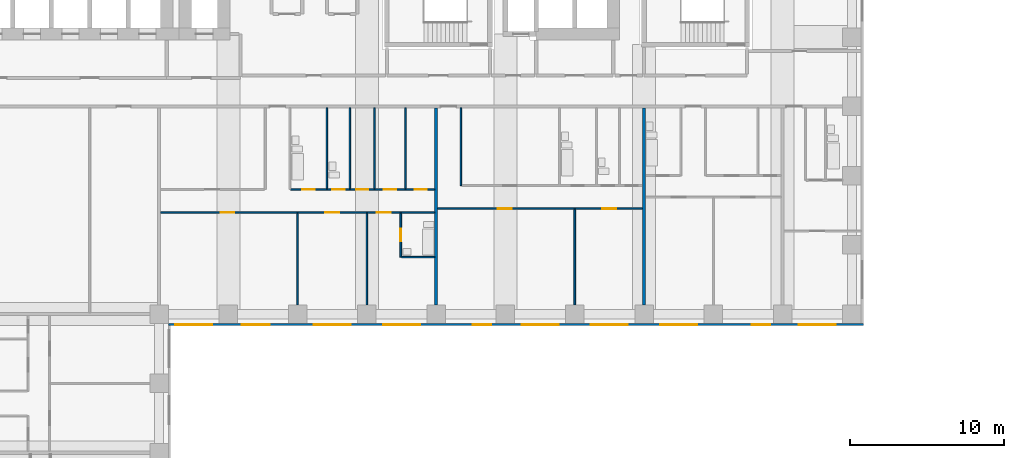
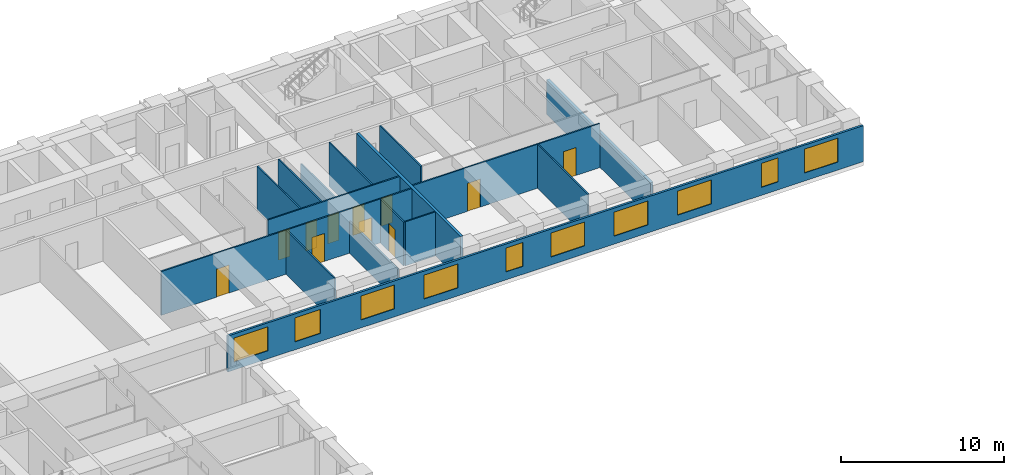
# One storey, part 6 of 12: 16 walls, 11 doors, 10 windows, 21 openings.
"""IFC4 building model written with IfcOpenShell, lengths in metres."""

from ifc_helpers import new_model, si_unit, direction, frame, frame_2d, origin, place, context, subcontext, project, spatial, rectangle, extrude, material, layer, layer_set, type_object, element, fill, save


model = new_model("IFC4")

# Units and contexts
model_context = context("Model", 3, precision=1e-05, world=origin(), true_north=direction((0.0, 1.0)))
body_context = subcontext(model_context, "Body", "Model", "MODEL_VIEW")
ifc_project = project(units=[si_unit("LENGTHUNIT", "METRE"), si_unit("AREAUNIT", "SQUARE_METRE"), si_unit("VOLUMEUNIT", "CUBIC_METRE"), si_unit("PLANEANGLEUNIT", "RADIAN"), si_unit("MASSUNIT", "GRAM", prefix="KILO")], contexts=[model_context])

# Site, building, storey
site_placement = place(None, origin())
site = spatial("IfcSite", under=ifc_project, at=site_placement, CompositionType="ELEMENT")
building_placement = place(site_placement, origin())
building = spatial("IfcBuilding", under=site, at=building_placement, Name="Firuza Court", CompositionType="ELEMENT")
storey_placement = place(building_placement, frame((0.0, 0.0, 36.199951171875)))
storey = spatial("IfcBuildingStorey", under=building, at=storey_placement, Name="L07", CompositionType="ELEMENT", Elevation=36.199951171875)

# Wall, opening, door
ifc_material_1 = material(Name="Moisture-resistant gypsum board partition")
ifc_layer_1 = layer(ifc_material_1, 0.10009765625)
ifc_layer_set_1 = layer_set([ifc_layer_1], Name="Moisture-resistant gypsum board partition")
wall_type_1 = type_object("IfcWallType", Name="Bathroom partition 100", PredefinedType="PLUMBINGWALL", material=ifc_layer_set_1)
wall_1_placement = place(storey_placement, frame((38.199951171875, 39.699951171875, 0.0), z_axis=(0.0, 0.0, 1.0), x_axis=(0.0, 1.0, 0.0)))
wall_1 = element("IfcWall", 1, at=wall_1_placement, inside=storey, type_object=wall_type_1, Name="Bathroom partition 100 L07", PredefinedType="PLUMBINGWALL", context=body_context, shape_type="SweptSolid", body=[
    extrude(rectangle(XDim=2.85009765625, YDim=0.10009765625, at=frame_2d((1.425048828125, 0.0))), origin(), (0.0, 0.0, 1.0), 3.300048828125),
])
opening_1_placement = place(wall_1_placement, frame((1.050048828125, 0.0, 0.0)))
opening_1 = element("IfcOpeningElement", 2, at=opening_1_placement, cuts=wall_1, Name="Opening D07042", PredefinedType="OPENING", context=body_context, shape_type="SweptSolid", body=[
    extrude(rectangle(XDim=0.800048828125, YDim=2.10009765625, at=frame_2d((0.39990234375, 1.050048828125))), frame((0.0, 0.06201171875, 0.0), z_axis=(0.0, -1.0, 0.0), x_axis=(1.0, 0.0, 0.0)), (0.0, 0.0, 1.0), 0.1240234375),
])
ifc_material_2 = material(Name="Timber door leaf in hardwood frame", Category="wood")
door_type_1 = type_object("IfcDoorType", Name="Bathroom door 800", OperationType="SINGLE_SWING_LEFT", PredefinedType="DOOR", material=ifc_material_2)
door_1_placement = place(opening_1_placement, frame((0.800048828125, 0.0, 0.0), z_axis=(0.0, 0.0, 1.0), x_axis=(-1.0, 0.0, 0.0)))
door_1 = element("IfcDoor", 3, at=door_1_placement, inside=storey, type_object=door_type_1, Name="En-suite door", OperationType="SINGLE_SWING_RIGHT", OverallHeight=2.10009765625, OverallWidth=0.800048828125, PredefinedType="DOOR", context=body_context, shape_type="SweptSolid", body=[
    extrude(rectangle(XDim=0.800048828125, YDim=2.10009765625, at=frame_2d((0.39990234375, 1.050048828125))), frame((0.0, 0.02490234375, 0.0), z_axis=(0.0, -1.0, 0.0), x_axis=(1.0, 0.0, 0.0)), (0.0, 0.0, 1.0), 0.050048828125),
])
fill(opening_1, door_1)

# Walls
wall_2_placement = place(storey_placement, frame((38.25, 39.699951171875, 0.0), z_axis=(0.0, 0.0, 1.0), x_axis=(1.0, 0.0, 0.0)))
element("IfcWall", 4, at=wall_2_placement, inside=storey, type_object=wall_type_1, Name="Bathroom partition 100 L07", PredefinedType="PLUMBINGWALL", context=body_context, shape_type="SweptSolid", body=[
    extrude(rectangle(XDim=2.14990234375, YDim=0.10009765625, at=frame_2d((1.074951171875, 0.0))), origin(), (0.0, 0.0, 1.0), 3.300048828125),
])
for number, where, z_axis, x_axis, name in (
    (5, (33.39990234375, 44.14990234375, 0.0), (0.0, 0.0, 1.0), (0.0, 1.0, 0.0), "Bathroom partition 100 L07"),
    (6, (34.89990234375, 44.14990234375, 0.0), (0.0, 0.0, 1.0), (0.0, 1.0, 0.0), "Bathroom partition 100 L07"),
):
    element("IfcWall", number, at=place(storey_placement, frame(where, z_axis=z_axis, x_axis=x_axis)), inside=storey, type_object=wall_type_1, Name=name, PredefinedType="PLUMBINGWALL", context=body_context, shape_type="SweptSolid", body=[
        extrude(rectangle(XDim=5.25, YDim=0.10009765625, at=frame_2d((2.625, 0.0))), origin(), (0.0, 0.0, 1.0), 3.300048828125),
    ])
ifc_material_3 = material(Name="Timber stud partition, plasterboard both sides", Category="wood")
ifc_layer_2 = layer(ifc_material_3, 0.10009765625)
ifc_layer_set_2 = layer_set([ifc_layer_2], Name="Timber stud partition, plasterboard both sides")
wall_type_2 = type_object("IfcWallType", Name="Partition wall 100", PredefinedType="PARTITIONING", material=ifc_layer_set_2)
wall_3_placement = place(storey_placement, frame((31.5, 36.60009765625, 0.0), z_axis=(0.0, 0.0, 1.0), x_axis=(0.0, 1.0, 0.0)))
element("IfcWall", 7, at=wall_3_placement, inside=storey, type_object=wall_type_2, Name="Partition wall 100 L07", PredefinedType="PARTITIONING", context=body_context, shape_type="SweptSolid", body=[
    extrude(rectangle(XDim=5.949951171875, YDim=0.10009765625, at=frame_2d((2.97509765625, 0.0))), origin(), (0.0, 0.0, 1.0), 3.300048828125),
])
wall_4_placement = place(storey_placement, frame((36.0, 36.60009765625, 0.0), z_axis=(0.0, 0.0, 1.0), x_axis=(0.0, 1.0, 0.0)))
element("IfcWall", 8, at=wall_4_placement, inside=storey, type_object=wall_type_2, Name="Partition wall 100 L07", PredefinedType="PARTITIONING", context=body_context, shape_type="SweptSolid", body=[
    extrude(rectangle(XDim=5.949951171875, YDim=0.10009765625, at=frame_2d((2.97509765625, 0.0))), origin(), (0.0, 0.0, 1.0), 2.400146484375),
])
wall_5_placement = place(storey_placement, frame((49.5, 36.60009765625, 0.0), z_axis=(0.0, 0.0, 1.0), x_axis=(0.0, 1.0, 0.0)))
element("IfcWall", 9, at=wall_5_placement, inside=storey, type_object=wall_type_2, Name="Partition wall 100 L07", PredefinedType="PARTITIONING", context=body_context, shape_type="SweptSolid", body=[
    extrude(rectangle(XDim=6.199951171875, YDim=0.10009765625, at=frame_2d((3.10009765625, 0.0))), origin(), (0.0, 0.0, 1.0), 3.300048828125),
])

# Wall, openings, doors
wall_6_placement = place(storey_placement, frame((22.60009765625, 42.60009765625, 0.0), z_axis=(0.0, 0.0, 1.0), x_axis=(1.0, 0.0, 0.0)))
wall_6 = element("IfcWall", 10, at=wall_6_placement, inside=storey, type_object=wall_type_2, Name="Partition wall 100 L07", PredefinedType="PARTITIONING", context=body_context, shape_type="SweptSolid", body=[
    extrude(rectangle(XDim=17.7998046875, YDim=0.10009765625, at=frame_2d((8.89990234375, 0.0))), origin(), (0.0, 0.0, 1.0), 3.300048828125),
])
opening_2_placement = place(wall_6_placement, frame((3.89990234375, 0.0, 0.0)))
opening_2 = element("IfcOpeningElement", 11, at=opening_2_placement, cuts=wall_6, Name="Opening D07044", PredefinedType="OPENING", context=body_context, shape_type="SweptSolid", body=[
    extrude(rectangle(XDim=0.89990234375, YDim=2.10009765625, at=frame_2d((0.449951171875, 1.050048828125))), frame((0.0, 0.06201171875, 0.0), z_axis=(0.0, -1.0, 0.0), x_axis=(1.0, 0.0, 0.0)), (0.0, 0.0, 1.0), 0.1240234375),
])
opening_3_placement = place(wall_6_placement, frame((10.699951171875, 0.0, 0.0)))
opening_3 = element("IfcOpeningElement", 12, at=opening_3_placement, cuts=wall_6, Name="Opening D07045", PredefinedType="OPENING", context=body_context, shape_type="SweptSolid", body=[
    extrude(rectangle(XDim=0.89990234375, YDim=2.10009765625, at=frame_2d((0.449951171875, 1.050048828125))), frame((0.0, 0.06201171875, 0.0), z_axis=(0.0, -1.0, 0.0), x_axis=(1.0, 0.0, 0.0)), (0.0, 0.0, 1.0), 0.1240234375),
])
opening_4_placement = place(wall_6_placement, frame((14.050048828125, 0.0, 0.0)))
opening_4 = element("IfcOpeningElement", 13, at=opening_4_placement, cuts=wall_6, Name="Opening D07046", PredefinedType="OPENING", context=body_context, shape_type="SweptSolid", body=[
    extrude(rectangle(XDim=0.89990234375, YDim=2.10009765625, at=frame_2d((0.449951171875, 1.050048828125))), frame((0.0, 0.06201171875, 0.0), z_axis=(0.0, -1.0, 0.0), x_axis=(1.0, 0.0, 0.0)), (0.0, 0.0, 1.0), 0.1240234375),
])
ifc_material_4 = material(Name="Timber door leaf in hardwood frame", Category="wood")
door_type_2 = type_object("IfcDoorType", Name="Room door 900", OperationType="SINGLE_SWING_LEFT", PredefinedType="DOOR", material=ifc_material_4)
door_2_placement = place(opening_2_placement, frame((0.89990234375, 0.0, 0.0), z_axis=(0.0, 0.0, 1.0), x_axis=(-1.0, 0.0, 0.0)))
door_2 = element("IfcDoor", 14, at=door_2_placement, inside=storey, type_object=door_type_2, Name="Living room door", OperationType="SINGLE_SWING_RIGHT", OverallHeight=2.10009765625, OverallWidth=0.89990234375, PredefinedType="DOOR", context=body_context, shape_type="SweptSolid", body=[
    extrude(rectangle(XDim=0.89990234375, YDim=2.10009765625, at=frame_2d((0.449951171875, 1.050048828125))), frame((0.0, 0.02490234375, 0.0), z_axis=(0.0, -1.0, 0.0), x_axis=(1.0, 0.0, 0.0)), (0.0, 0.0, 1.0), 0.050048828125),
])
fill(opening_2, door_2)
door_3_placement = place(opening_3_placement, frame((0.89990234375, 0.0, 0.0), z_axis=(0.0, 0.0, 1.0), x_axis=(-1.0, 0.0, 0.0)))
door_3 = element("IfcDoor", 15, at=door_3_placement, inside=storey, type_object=door_type_2, Name="Bedroom door", OperationType="SINGLE_SWING_RIGHT", OverallHeight=2.10009765625, OverallWidth=0.89990234375, PredefinedType="DOOR", context=body_context, shape_type="SweptSolid", body=[
    extrude(rectangle(XDim=0.89990234375, YDim=2.10009765625, at=frame_2d((0.449951171875, 1.050048828125))), frame((0.0, 0.02490234375, 0.0), z_axis=(0.0, -1.0, 0.0), x_axis=(1.0, 0.0, 0.0)), (0.0, 0.0, 1.0), 0.050048828125),
])
fill(opening_3, door_3)
door_4_placement = place(opening_4_placement, frame((0.89990234375, 0.0, 0.0), z_axis=(0.0, 0.0, 1.0), x_axis=(-1.0, 0.0, 0.0)))
door_4 = element("IfcDoor", 16, at=door_4_placement, inside=storey, type_object=door_type_2, Name="Bedroom door", OperationType="SINGLE_SWING_RIGHT", OverallHeight=2.10009765625, OverallWidth=0.89990234375, PredefinedType="DOOR", context=body_context, shape_type="SweptSolid", body=[
    extrude(rectangle(XDim=0.89990234375, YDim=2.10009765625, at=frame_2d((0.449951171875, 1.050048828125))), frame((0.0, 0.02490234375, 0.0), z_axis=(0.0, -1.0, 0.0), x_axis=(1.0, 0.0, 0.0)), (0.0, 0.0, 1.0), 0.050048828125),
])
fill(opening_4, door_4)

wall_7_placement = place(storey_placement, frame((40.60009765625, 42.85009765625, 0.0), z_axis=(0.0, 0.0, 1.0), x_axis=(1.0, 0.0, 0.0)))
wall_7 = element("IfcWall", 17, at=wall_7_placement, inside=storey, type_object=wall_type_2, Name="Partition wall 100 L07", PredefinedType="PARTITIONING", context=body_context, shape_type="SweptSolid", body=[
    extrude(rectangle(XDim=13.2998046875, YDim=0.10009765625, at=frame_2d((6.64990234375, 0.0))), origin(), (0.0, 0.0, 1.0), 3.300048828125),
])
opening_5_placement = place(wall_7_placement, frame((3.89990234375, 0.0, 0.0)))
opening_5 = element("IfcOpeningElement", 18, at=opening_5_placement, cuts=wall_7, Name="Opening D07047", PredefinedType="OPENING", context=body_context, shape_type="SweptSolid", body=[
    extrude(rectangle(XDim=0.89990234375, YDim=2.10009765625, at=frame_2d((0.449951171875, 1.050048828125))), frame((0.0, 0.06201171875, 0.0), z_axis=(0.0, -1.0, 0.0), x_axis=(1.0, 0.0, 0.0)), (0.0, 0.0, 1.0), 0.1240234375),
])
opening_6_placement = place(wall_7_placement, frame((10.699951171875, 0.0, 0.0)))
opening_6 = element("IfcOpeningElement", 19, at=opening_6_placement, cuts=wall_7, Name="Opening D07048", PredefinedType="OPENING", context=body_context, shape_type="SweptSolid", body=[
    extrude(rectangle(XDim=0.89990234375, YDim=2.10009765625, at=frame_2d((0.449951171875, 1.050048828125))), frame((0.0, 0.06201171875, 0.0), z_axis=(0.0, -1.0, 0.0), x_axis=(1.0, 0.0, 0.0)), (0.0, 0.0, 1.0), 0.1240234375),
])
door_5_placement = place(opening_5_placement, frame((0.89990234375, 0.0, 0.0), z_axis=(0.0, 0.0, 1.0), x_axis=(-1.0, 0.0, 0.0)))
door_5 = element("IfcDoor", 20, at=door_5_placement, inside=storey, type_object=door_type_2, Name="Living room door", OperationType="SINGLE_SWING_RIGHT", OverallHeight=2.10009765625, OverallWidth=0.89990234375, PredefinedType="DOOR", context=body_context, shape_type="SweptSolid", body=[
    extrude(rectangle(XDim=0.89990234375, YDim=2.10009765625, at=frame_2d((0.449951171875, 1.050048828125))), frame((0.0, 0.02490234375, 0.0), z_axis=(0.0, -1.0, 0.0), x_axis=(1.0, 0.0, 0.0)), (0.0, 0.0, 1.0), 0.050048828125),
])
fill(opening_5, door_5)
door_6_placement = place(opening_6_placement, frame((0.89990234375, 0.0, 0.0), z_axis=(0.0, 0.0, 1.0), x_axis=(-1.0, 0.0, 0.0)))
door_6 = element("IfcDoor", 21, at=door_6_placement, inside=storey, type_object=door_type_2, Name="Bedroom door", OperationType="SINGLE_SWING_RIGHT", OverallHeight=2.10009765625, OverallWidth=0.89990234375, PredefinedType="DOOR", context=body_context, shape_type="SweptSolid", body=[
    extrude(rectangle(XDim=0.89990234375, YDim=2.10009765625, at=frame_2d((0.449951171875, 1.050048828125))), frame((0.0, 0.02490234375, 0.0), z_axis=(0.0, -1.0, 0.0), x_axis=(1.0, 0.0, 0.0)), (0.0, 0.0, 1.0), 0.050048828125),
])
fill(opening_6, door_6)

wall_8_placement = place(storey_placement, frame((31.050048828125, 44.10009765625, 0.0), z_axis=(0.0, 0.0, 1.0), x_axis=(1.0, 0.0, 0.0)))
wall_8 = element("IfcWall", 22, at=wall_8_placement, inside=storey, type_object=wall_type_2, Name="Partition wall 100 L07", PredefinedType="PARTITIONING", context=body_context, shape_type="SweptSolid", body=[
    extrude(rectangle(XDim=9.349853515625, YDim=0.10009765625, at=frame_2d((4.6748046875, 0.0))), origin(), (0.0, 0.0, 1.0), 3.300048828125),
])
opening_7_placement = place(wall_8_placement, frame((0.75, 0.0, 0.0)))
opening_7 = element("IfcOpeningElement", 23, at=opening_7_placement, cuts=wall_8, Name="Opening D07052", PredefinedType="OPENING", context=body_context, shape_type="SweptSolid", body=[
    extrude(rectangle(XDim=0.800048828125, YDim=2.10009765625, at=frame_2d((0.39990234375, 1.050048828125))), frame((0.0, 0.06201171875, 0.0), z_axis=(0.0, -1.0, 0.0), x_axis=(1.0, 0.0, 0.0)), (0.0, 0.0, 1.0), 0.1240234375),
])
opening_8_placement = place(wall_8_placement, frame((8.050048828125, 0.0, 0.0)))
opening_8 = element("IfcOpeningElement", 24, at=opening_8_placement, cuts=wall_8, Name="Opening D07053", PredefinedType="OPENING", context=body_context, shape_type="SweptSolid", body=[
    extrude(rectangle(XDim=0.800048828125, YDim=2.10009765625, at=frame_2d((0.39990234375, 1.050048828125))), frame((0.0, 0.06201171875, 0.0), z_axis=(0.0, -1.0, 0.0), x_axis=(1.0, 0.0, 0.0)), (0.0, 0.0, 1.0), 0.1240234375),
])
opening_9_placement = place(wall_8_placement, frame((4.25, 0.0, 0.0)))
opening_9 = element("IfcOpeningElement", 25, at=opening_9_placement, cuts=wall_8, Name="Opening D07054", PredefinedType="OPENING", context=body_context, shape_type="SweptSolid", body=[
    extrude(rectangle(XDim=0.800048828125, YDim=2.10009765625, at=frame_2d((0.39990234375, 1.050048828125))), frame((0.0, 0.06201171875, 0.0), z_axis=(0.0, -1.0, 0.0), x_axis=(1.0, 0.0, 0.0)), (0.0, 0.0, 1.0), 0.1240234375),
])
opening_10_placement = place(wall_8_placement, frame((6.050048828125, 0.0, 0.0)))
opening_10 = element("IfcOpeningElement", 26, at=opening_10_placement, cuts=wall_8, Name="Opening D07055", PredefinedType="OPENING", context=body_context, shape_type="SweptSolid", body=[
    extrude(rectangle(XDim=0.800048828125, YDim=2.10009765625, at=frame_2d((0.39990234375, 1.050048828125))), frame((0.0, 0.06201171875, 0.0), z_axis=(0.0, -1.0, 0.0), x_axis=(1.0, 0.0, 0.0)), (0.0, 0.0, 1.0), 0.1240234375),
])
opening_11_placement = place(wall_8_placement, frame((2.699951171875, 0.0, 0.0)))
opening_11 = element("IfcOpeningElement", 27, at=opening_11_placement, cuts=wall_8, Name="Opening D07056", PredefinedType="OPENING", context=body_context, shape_type="SweptSolid", body=[
    extrude(rectangle(XDim=0.800048828125, YDim=2.10009765625, at=frame_2d((0.39990234375, 1.050048828125))), frame((0.0, 0.06201171875, 0.0), z_axis=(0.0, -1.0, 0.0), x_axis=(1.0, 0.0, 0.0)), (0.0, 0.0, 1.0), 0.1240234375),
])
door_7_placement = place(opening_7_placement, origin())
door_7 = element("IfcDoor", 28, at=door_7_placement, inside=storey, type_object=door_type_1, Name="Bathroom door", OperationType="SINGLE_SWING_LEFT", OverallHeight=2.10009765625, OverallWidth=0.800048828125, PredefinedType="DOOR", context=body_context, shape_type="SweptSolid", body=[
    extrude(rectangle(XDim=0.800048828125, YDim=2.10009765625, at=frame_2d((0.39990234375, 1.050048828125))), frame((0.0, 0.02490234375, 0.0), z_axis=(0.0, -1.0, 0.0), x_axis=(1.0, 0.0, 0.0)), (0.0, 0.0, 1.0), 0.050048828125),
])
fill(opening_7, door_7)
door_8_placement = place(opening_11_placement, origin())
door_8 = element("IfcDoor", 29, at=door_8_placement, inside=storey, type_object=door_type_1, Name="Powder room door", OperationType="SINGLE_SWING_LEFT", OverallHeight=2.10009765625, OverallWidth=0.800048828125, PredefinedType="DOOR", context=body_context, shape_type="SweptSolid", body=[
    extrude(rectangle(XDim=0.800048828125, YDim=2.10009765625, at=frame_2d((0.39990234375, 1.050048828125))), frame((0.0, 0.02490234375, 0.0), z_axis=(0.0, -1.0, 0.0), x_axis=(1.0, 0.0, 0.0)), (0.0, 0.0, 1.0), 0.050048828125),
])
fill(opening_11, door_8)
ifc_material_5 = material(Name="Timber door leaf in hardwood frame", Category="wood")
door_type_3 = type_object("IfcDoorType", Name="Room door 800", OperationType="SINGLE_SWING_LEFT", PredefinedType="DOOR", material=ifc_material_5)
door_9_placement = place(opening_8_placement, origin())
door_9 = element("IfcDoor", 30, at=door_9_placement, inside=storey, type_object=door_type_3, Name="Pantry door", OperationType="SINGLE_SWING_LEFT", OverallHeight=2.10009765625, OverallWidth=0.800048828125, PredefinedType="DOOR", context=body_context, shape_type="SweptSolid", body=[
    extrude(rectangle(XDim=0.800048828125, YDim=2.10009765625, at=frame_2d((0.39990234375, 1.050048828125))), frame((0.0, 0.02490234375, 0.0), z_axis=(0.0, -1.0, 0.0), x_axis=(1.0, 0.0, 0.0)), (0.0, 0.0, 1.0), 0.050048828125),
])
fill(opening_8, door_9)
door_10_placement = place(opening_9_placement, origin())
door_10 = element("IfcDoor", 31, at=door_10_placement, inside=storey, type_object=door_type_3, Name="Store door", OperationType="SINGLE_SWING_LEFT", OverallHeight=2.10009765625, OverallWidth=0.800048828125, PredefinedType="DOOR", context=body_context, shape_type="SweptSolid", body=[
    extrude(rectangle(XDim=0.800048828125, YDim=2.10009765625, at=frame_2d((0.39990234375, 1.050048828125))), frame((0.0, 0.02490234375, 0.0), z_axis=(0.0, -1.0, 0.0), x_axis=(1.0, 0.0, 0.0)), (0.0, 0.0, 1.0), 0.050048828125),
])
fill(opening_9, door_10)
door_11_placement = place(opening_10_placement, origin())
door_11 = element("IfcDoor", 32, at=door_11_placement, inside=storey, type_object=door_type_3, Name="Utility room door", OperationType="SINGLE_SWING_LEFT", OverallHeight=2.10009765625, OverallWidth=0.800048828125, PredefinedType="DOOR", context=body_context, shape_type="SweptSolid", body=[
    extrude(rectangle(XDim=0.800048828125, YDim=2.10009765625, at=frame_2d((0.39990234375, 1.050048828125))), frame((0.0, 0.02490234375, 0.0), z_axis=(0.0, -1.0, 0.0), x_axis=(1.0, 0.0, 0.0)), (0.0, 0.0, 1.0), 0.050048828125),
])
fill(opening_10, door_11)

# Walls
wall_9_placement = place(storey_placement, frame((36.5, 44.14990234375, 0.0), z_axis=(0.0, 0.0, 1.0), x_axis=(0.0, 1.0, 0.0)))
element("IfcWall", 33, at=wall_9_placement, inside=storey, type_object=wall_type_2, Name="Partition wall 100 L07", PredefinedType="PARTITIONING", context=body_context, shape_type="SweptSolid", body=[
    extrude(rectangle(XDim=5.25, YDim=0.10009765625, at=frame_2d((2.625, 0.0))), origin(), (0.0, 0.0, 1.0), 2.400146484375),
])
wall_10_placement = place(storey_placement, frame((38.5, 44.14990234375, 0.0), z_axis=(0.0, 0.0, 1.0), x_axis=(0.0, 1.0, 0.0)))
element("IfcWall", 34, at=wall_10_placement, inside=storey, type_object=wall_type_2, Name="Partition wall 100 L07", PredefinedType="PARTITIONING", context=body_context, shape_type="SweptSolid", body=[
    extrude(rectangle(XDim=5.25, YDim=0.10009765625, at=frame_2d((2.625, 0.0))), origin(), (0.0, 0.0, 1.0), 3.300048828125),
])
wall_11_placement = place(storey_placement, frame((42.10009765625, 44.35009765625, 0.0), z_axis=(0.0, 0.0, 1.0), x_axis=(0.0, 1.0, 0.0)))
element("IfcWall", 35, at=wall_11_placement, inside=storey, type_object=wall_type_2, Name="Partition wall 100 L07", PredefinedType="PARTITIONING", context=body_context, shape_type="SweptSolid", body=[
    extrude(rectangle(XDim=5.0498046875, YDim=0.10009765625, at=frame_2d((2.52490234375, 0.0))), origin(), (0.0, 0.0, 1.0), 3.300048828125),
])
ifc_material_6 = material(Name="Blockwork, plastered both sides", Category="masonry")
ifc_layer_3 = layer(ifc_material_6, 0.199951171875)
ifc_layer_set_3 = layer_set([ifc_layer_3], Name="Blockwork, plastered both sides")
wall_type_3 = type_object("IfcWallType", Name="Party wall 200", PredefinedType="PARTITIONING", material=ifc_layer_set_3)
wall_12_placement = place(storey_placement, frame((40.5, 36.60009765625, 0.0), z_axis=(0.0, 0.0, 1.0), x_axis=(0.0, 1.0, 0.0)))
element("IfcWall", 36, at=wall_12_placement, inside=storey, type_object=wall_type_3, Name="Party wall 200 L07", PredefinedType="PARTITIONING", context=body_context, shape_type="SweptSolid", body=[
    extrude(rectangle(XDim=12.7998046875, YDim=0.199951171875, at=frame_2d((6.39990234375, 0.0))), origin(), (0.0, 0.0, 1.0), 3.300048828125),
])
wall_13_placement = place(storey_placement, frame((54.0, 36.60009765625, 0.0), z_axis=(0.0, 0.0, 1.0), x_axis=(0.0, 1.0, 0.0)))
element("IfcWall", 37, at=wall_13_placement, inside=storey, type_object=wall_type_3, Name="Party wall 200 L07", PredefinedType="PARTITIONING", context=body_context, shape_type="SweptSolid", body=[
    extrude(rectangle(XDim=12.7998046875, YDim=0.199951171875, at=frame_2d((6.39990234375, 0.0))), origin(), (0.0, 0.0, 1.0), 2.60009765625),
])

# Wall, openings, windows
ifc_material_7 = material(Name="Ceramic tile", Category="ceramic")
ifc_layer_4 = layer(ifc_material_7, 0.02001953125)
ifc_material_8 = material(Name="Mineral wool insulation", Category="insulation")
ifc_layer_5 = layer(ifc_material_8, 0.050048828125)
ifc_material_9 = material(Name="Concrete C40/50 precast", Category="concrete")
ifc_layer_6 = layer(ifc_material_9, 0.080078125)
ifc_layer_set_4 = layer_set([ifc_layer_4, ifc_layer_5, ifc_layer_6], Name="Concrete C40/50 precast")
wall_type_4 = type_object("IfcWallType", Name="Precast cladding wall with turquoise TILE PANEL face 150", PredefinedType="STANDARD", material=ifc_layer_set_4)
wall_14_placement = place(storey_placement, frame((23.10009765625, 35.324951171875, 0.0), z_axis=(0.0, 0.0, 1.0), x_axis=(1.0, 0.0, 0.0)))
wall_14 = element("IfcWall", 38, at=wall_14_placement, inside=storey, type_object=wall_type_4, Name="Facade wall L07 S", PredefinedType="STANDARD", context=body_context, shape_type="SweptSolid", body=[
    extrude(rectangle(XDim=45.14990234375, YDim=0.14990234375, at=frame_2d((22.574951171875, 0.0))), origin(), (0.0, 0.0, 1.0), 2.699951171875),
])
opening_12_placement = place(wall_14_placement, frame((0.449951171875, 0.0, 0.60009765625)))
opening_12 = element("IfcOpeningElement", 39, at=opening_12_placement, cuts=wall_14, Name="Opening W1", PredefinedType="OPENING", context=body_context, shape_type="SweptSolid", body=[
    extrude(rectangle(XDim=2.39990234375, YDim=1.800048828125, at=frame_2d((1.199951171875, 0.89990234375))), frame((0.0, 0.0869140625, 0.0), z_axis=(0.0, -1.0, 0.0), x_axis=(1.0, 0.0, 0.0)), (0.0, 0.0, 1.0), 0.173828125),
])
opening_13_placement = place(wall_14_placement, frame((4.776123046875, 0.0, 0.60009765625)))
opening_13 = element("IfcOpeningElement", 40, at=opening_13_placement, cuts=wall_14, Name="Opening W7", PredefinedType="OPENING", context=body_context, shape_type="SweptSolid", body=[
    extrude(rectangle(XDim=1.800048828125, YDim=1.800048828125, at=frame_2d((0.89990234375, 0.89990234375))), frame((0.0, 0.0869140625, 0.0), z_axis=(0.0, -1.0, 0.0), x_axis=(1.0, 0.0, 0.0)), (0.0, 0.0, 1.0), 0.173828125),
])
opening_14_placement = place(wall_14_placement, frame((9.449951171875, 0.0, 0.60009765625)))
opening_14 = element("IfcOpeningElement", 41, at=opening_14_placement, cuts=wall_14, Name="Opening W1", PredefinedType="OPENING", context=body_context, shape_type="SweptSolid", body=[
    extrude(rectangle(XDim=2.39990234375, YDim=1.800048828125, at=frame_2d((1.199951171875, 0.89990234375))), frame((0.0, 0.0869140625, 0.0), z_axis=(0.0, -1.0, 0.0), x_axis=(1.0, 0.0, 0.0)), (0.0, 0.0, 1.0), 0.173828125),
])
opening_15_placement = place(wall_14_placement, frame((13.949951171875, 0.0, 0.60009765625)))
opening_15 = element("IfcOpeningElement", 42, at=opening_15_placement, cuts=wall_14, Name="Opening W1", PredefinedType="OPENING", context=body_context, shape_type="SweptSolid", body=[
    extrude(rectangle(XDim=2.39990234375, YDim=1.800048828125, at=frame_2d((1.199951171875, 0.89990234375))), frame((0.0, 0.0869140625, 0.0), z_axis=(0.0, -1.0, 0.0), x_axis=(1.0, 0.0, 0.0)), (0.0, 0.0, 1.0), 0.173828125),
])
opening_16_placement = place(wall_14_placement, frame((19.776611328125, 0.0, 0.60009765625)))
opening_16 = element("IfcOpeningElement", 43, at=opening_16_placement, cuts=wall_14, Name="Opening W8", PredefinedType="OPENING", context=body_context, shape_type="SweptSolid", body=[
    extrude(rectangle(XDim=1.199951171875, YDim=1.800048828125, at=frame_2d((0.60009765625, 0.89990234375))), frame((0.0, 0.0869140625, 0.0), z_axis=(0.0, -1.0, 0.0), x_axis=(1.0, 0.0, 0.0)), (0.0, 0.0, 1.0), 0.173828125),
])
opening_17_placement = place(wall_14_placement, frame((22.949951171875, 0.0, 0.60009765625)))
opening_17 = element("IfcOpeningElement", 44, at=opening_17_placement, cuts=wall_14, Name="Opening W1", PredefinedType="OPENING", context=body_context, shape_type="SweptSolid", body=[
    extrude(rectangle(XDim=2.39990234375, YDim=1.800048828125, at=frame_2d((1.199951171875, 0.89990234375))), frame((0.0, 0.0869140625, 0.0), z_axis=(0.0, -1.0, 0.0), x_axis=(1.0, 0.0, 0.0)), (0.0, 0.0, 1.0), 0.173828125),
])
opening_18_placement = place(wall_14_placement, frame((27.449951171875, 0.0, 0.60009765625)))
opening_18 = element("IfcOpeningElement", 45, at=opening_18_placement, cuts=wall_14, Name="Opening W1", PredefinedType="OPENING", context=body_context, shape_type="SweptSolid", body=[
    extrude(rectangle(XDim=2.39990234375, YDim=1.800048828125, at=frame_2d((1.199951171875, 0.89990234375))), frame((0.0, 0.0869140625, 0.0), z_axis=(0.0, -1.0, 0.0), x_axis=(1.0, 0.0, 0.0)), (0.0, 0.0, 1.0), 0.173828125),
])
opening_19_placement = place(wall_14_placement, frame((31.949951171875, 0.0, 0.60009765625)))
opening_19 = element("IfcOpeningElement", 46, at=opening_19_placement, cuts=wall_14, Name="Opening W1", PredefinedType="OPENING", context=body_context, shape_type="SweptSolid", body=[
    extrude(rectangle(XDim=2.39990234375, YDim=1.800048828125, at=frame_2d((1.199951171875, 0.89990234375))), frame((0.0, 0.0869140625, 0.0), z_axis=(0.0, -1.0, 0.0), x_axis=(1.0, 0.0, 0.0)), (0.0, 0.0, 1.0), 0.173828125),
])
opening_20_placement = place(wall_14_placement, frame((37.894287109375, 0.0, 0.60009765625)))
opening_20 = element("IfcOpeningElement", 47, at=opening_20_placement, cuts=wall_14, Name="Opening W8", PredefinedType="OPENING", context=body_context, shape_type="SweptSolid", body=[
    extrude(rectangle(XDim=1.199951171875, YDim=1.800048828125, at=frame_2d((0.60009765625, 0.89990234375))), frame((0.0, 0.0869140625, 0.0), z_axis=(0.0, -1.0, 0.0), x_axis=(1.0, 0.0, 0.0)), (0.0, 0.0, 1.0), 0.173828125),
])
opening_21_placement = place(wall_14_placement, frame((40.949951171875, 0.0, 0.60009765625)))
opening_21 = element("IfcOpeningElement", 48, at=opening_21_placement, cuts=wall_14, Name="Opening W1", PredefinedType="OPENING", context=body_context, shape_type="SweptSolid", body=[
    extrude(rectangle(XDim=2.39990234375, YDim=1.800048828125, at=frame_2d((1.199951171875, 0.89990234375))), frame((0.0, 0.0869140625, 0.0), z_axis=(0.0, -1.0, 0.0), x_axis=(1.0, 0.0, 0.0)), (0.0, 0.0, 1.0), 0.173828125),
])
ifc_material_10 = material(Name="Aluminium frame, triple clear glazing", Category="aluminium")
window_type_1 = type_object("IfcWindowType", Name="Window W1 2400 x 1800", PartitioningType="SINGLE_PANEL", PredefinedType="WINDOW", material=ifc_material_10)
window_1_placement = place(opening_12_placement, origin())
window_1 = element("IfcWindow", 49, at=window_1_placement, inside=storey, type_object=window_type_1, Name="Window L07", OverallHeight=1.800048828125, OverallWidth=2.39990234375, PartitioningType="SINGLE_PANEL", PredefinedType="WINDOW", context=body_context, shape_type="SweptSolid", body=[
    extrude(rectangle(XDim=2.39990234375, YDim=1.800048828125, at=frame_2d((1.199951171875, 0.89990234375))), frame((0.0, 0.030029296875, 0.0), z_axis=(0.0, -1.0, 0.0), x_axis=(1.0, 0.0, 0.0)), (0.0, 0.0, 1.0), 0.06005859375),
])
fill(opening_12, window_1)
window_2_placement = place(opening_14_placement, origin())
window_2 = element("IfcWindow", 50, at=window_2_placement, inside=storey, type_object=window_type_1, Name="Window L07", OverallHeight=1.800048828125, OverallWidth=2.39990234375, PartitioningType="SINGLE_PANEL", PredefinedType="WINDOW", context=body_context, shape_type="SweptSolid", body=[
    extrude(rectangle(XDim=2.39990234375, YDim=1.800048828125, at=frame_2d((1.199951171875, 0.89990234375))), frame((0.0, 0.030029296875, 0.0), z_axis=(0.0, -1.0, 0.0), x_axis=(1.0, 0.0, 0.0)), (0.0, 0.0, 1.0), 0.06005859375),
])
fill(opening_14, window_2)
window_3_placement = place(opening_15_placement, origin())
window_3 = element("IfcWindow", 51, at=window_3_placement, inside=storey, type_object=window_type_1, Name="Window L07", OverallHeight=1.800048828125, OverallWidth=2.39990234375, PartitioningType="SINGLE_PANEL", PredefinedType="WINDOW", context=body_context, shape_type="SweptSolid", body=[
    extrude(rectangle(XDim=2.39990234375, YDim=1.800048828125, at=frame_2d((1.199951171875, 0.89990234375))), frame((0.0, 0.030029296875, 0.0), z_axis=(0.0, -1.0, 0.0), x_axis=(1.0, 0.0, 0.0)), (0.0, 0.0, 1.0), 0.06005859375),
])
fill(opening_15, window_3)
window_4_placement = place(opening_17_placement, origin())
window_4 = element("IfcWindow", 52, at=window_4_placement, inside=storey, type_object=window_type_1, Name="Window L07", OverallHeight=1.800048828125, OverallWidth=2.39990234375, PartitioningType="SINGLE_PANEL", PredefinedType="WINDOW", context=body_context, shape_type="SweptSolid", body=[
    extrude(rectangle(XDim=2.39990234375, YDim=1.800048828125, at=frame_2d((1.199951171875, 0.89990234375))), frame((0.0, 0.030029296875, 0.0), z_axis=(0.0, -1.0, 0.0), x_axis=(1.0, 0.0, 0.0)), (0.0, 0.0, 1.0), 0.06005859375),
])
fill(opening_17, window_4)
window_5_placement = place(opening_18_placement, origin())
window_5 = element("IfcWindow", 53, at=window_5_placement, inside=storey, type_object=window_type_1, Name="Window L07", OverallHeight=1.800048828125, OverallWidth=2.39990234375, PartitioningType="SINGLE_PANEL", PredefinedType="WINDOW", context=body_context, shape_type="SweptSolid", body=[
    extrude(rectangle(XDim=2.39990234375, YDim=1.800048828125, at=frame_2d((1.199951171875, 0.89990234375))), frame((0.0, 0.030029296875, 0.0), z_axis=(0.0, -1.0, 0.0), x_axis=(1.0, 0.0, 0.0)), (0.0, 0.0, 1.0), 0.06005859375),
])
fill(opening_18, window_5)
window_6_placement = place(opening_19_placement, origin())
window_6 = element("IfcWindow", 54, at=window_6_placement, inside=storey, type_object=window_type_1, Name="Window L07", OverallHeight=1.800048828125, OverallWidth=2.39990234375, PartitioningType="SINGLE_PANEL", PredefinedType="WINDOW", context=body_context, shape_type="SweptSolid", body=[
    extrude(rectangle(XDim=2.39990234375, YDim=1.800048828125, at=frame_2d((1.199951171875, 0.89990234375))), frame((0.0, 0.030029296875, 0.0), z_axis=(0.0, -1.0, 0.0), x_axis=(1.0, 0.0, 0.0)), (0.0, 0.0, 1.0), 0.06005859375),
])
fill(opening_19, window_6)
window_7_placement = place(opening_21_placement, origin())
window_7 = element("IfcWindow", 55, at=window_7_placement, inside=storey, type_object=window_type_1, Name="Window L07", OverallHeight=1.800048828125, OverallWidth=2.39990234375, PartitioningType="SINGLE_PANEL", PredefinedType="WINDOW", context=body_context, shape_type="SweptSolid", body=[
    extrude(rectangle(XDim=2.39990234375, YDim=1.800048828125, at=frame_2d((1.199951171875, 0.89990234375))), frame((0.0, 0.030029296875, 0.0), z_axis=(0.0, -1.0, 0.0), x_axis=(1.0, 0.0, 0.0)), (0.0, 0.0, 1.0), 0.06005859375),
])
fill(opening_21, window_7)
ifc_material_11 = material(Name="Aluminium frame, triple clear glazing", Category="aluminium")
window_type_2 = type_object("IfcWindowType", Name="Window W7 1800 x 1800", PartitioningType="SINGLE_PANEL", PredefinedType="WINDOW", material=ifc_material_11)
window_8_placement = place(opening_13_placement, origin())
window_8 = element("IfcWindow", 56, at=window_8_placement, inside=storey, type_object=window_type_2, Name="Window L07", OverallHeight=1.800048828125, OverallWidth=1.800048828125, PartitioningType="SINGLE_PANEL", PredefinedType="WINDOW", context=body_context, shape_type="SweptSolid", body=[
    extrude(rectangle(XDim=1.800048828125, YDim=1.800048828125, at=frame_2d((0.89990234375, 0.89990234375))), frame((0.0, 0.030029296875, 0.0), z_axis=(0.0, -1.0, 0.0), x_axis=(1.0, 0.0, 0.0)), (0.0, 0.0, 1.0), 0.06005859375),
])
fill(opening_13, window_8)
ifc_material_12 = material(Name="Aluminium frame, triple clear glazing", Category="aluminium")
window_type_3 = type_object("IfcWindowType", Name="Window W8 1200 x 1800", PartitioningType="SINGLE_PANEL", PredefinedType="WINDOW", material=ifc_material_12)
window_9_placement = place(opening_16_placement, origin())
window_9 = element("IfcWindow", 57, at=window_9_placement, inside=storey, type_object=window_type_3, Name="Window L07", OverallHeight=1.800048828125, OverallWidth=1.199951171875, PartitioningType="SINGLE_PANEL", PredefinedType="WINDOW", context=body_context, shape_type="SweptSolid", body=[
    extrude(rectangle(XDim=1.199951171875, YDim=1.800048828125, at=frame_2d((0.60009765625, 0.89990234375))), frame((0.0, 0.030029296875, 0.0), z_axis=(0.0, -1.0, 0.0), x_axis=(1.0, 0.0, 0.0)), (0.0, 0.0, 1.0), 0.06005859375),
])
fill(opening_16, window_9)
window_10_placement = place(opening_20_placement, origin())
window_10 = element("IfcWindow", 58, at=window_10_placement, inside=storey, type_object=window_type_3, Name="Window L07", OverallHeight=1.800048828125, OverallWidth=1.199951171875, PartitioningType="SINGLE_PANEL", PredefinedType="WINDOW", context=body_context, shape_type="SweptSolid", body=[
    extrude(rectangle(XDim=1.199951171875, YDim=1.800048828125, at=frame_2d((0.60009765625, 0.89990234375))), frame((0.0, 0.030029296875, 0.0), z_axis=(0.0, -1.0, 0.0), x_axis=(1.0, 0.0, 0.0)), (0.0, 0.0, 1.0), 0.06005859375),
])
fill(opening_20, window_10)

save(model, "model.ifc")
